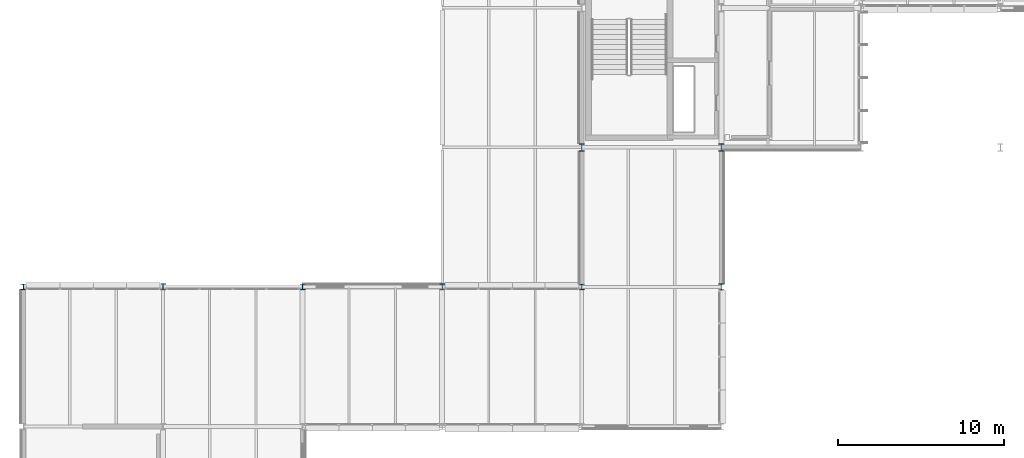
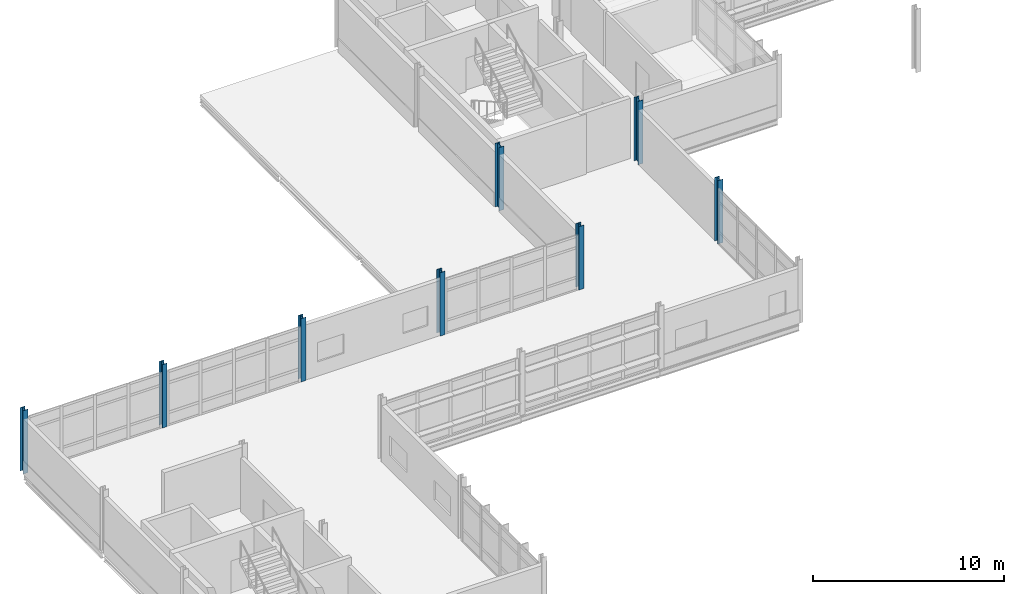
# One storey, part 6 of 131: 8 columns.
"""IFC4 building model written with IfcOpenShell, lengths in metres."""

from ifc_helpers import new_model, si_unit, direction, frame, origin, origin_2d, place, context, subcontext, project, spatial, i_section, extrude, material, material_profile, profile_set, type_object, element, save


model = new_model("IFC4")

# Units and contexts
model_context = context("Model", 3, precision=1e-05, world=origin(), true_north=direction((0.0, 1.0)))
body_context = subcontext(model_context, "Body", "Model", "MODEL_VIEW")
ifc_project = project(units=[si_unit("LENGTHUNIT", "METRE"), si_unit("AREAUNIT", "SQUARE_METRE"), si_unit("VOLUMEUNIT", "CUBIC_METRE"), si_unit("PLANEANGLEUNIT", "RADIAN"), si_unit("MASSUNIT", "GRAM", prefix="KILO")], contexts=[model_context])

# Site, building, storey
site_placement = place(None, origin())
site = spatial("IfcSite", under=ifc_project, at=site_placement, CompositionType="ELEMENT")
building_placement = place(site_placement, origin())
building = spatial("IfcBuilding", under=site, at=building_placement, Name="Mersafa Astral City Hall", CompositionType="ELEMENT")
storey_placement = place(building_placement, frame((0.0, 0.0, 13.949951171875)))
storey = spatial("IfcBuildingStorey", under=building, at=storey_placement, Name="L03", CompositionType="ELEMENT", Elevation=13.949951171875)

# Columns
ifc_material = material(Name="Steel S355", Category="steel")
ifc_material_profile_1 = material_profile(ifc_material, i_section(OverallWidth=0.300048828125, OverallDepth=0.340087890625, WebThickness=0.011962890625, FlangeThickness=0.021484375, FilletRadius=0.027099609375, at=origin_2d()), Name="HEB 340")
ifc_profile_set_1 = profile_set([ifc_material_profile_1], Name="Steel S355")
column_type_1 = type_object("IfcColumnType", Name="STR-COL-HEB340", PredefinedType="COLUMN", material=ifc_profile_set_1)
for number, where, z_axis, x_axis, name in (
    (1, (8.39990234375, 100.800048828125, 0.0), (0.0, 0.0, 1.0), (1.0, 0.0, 0.0), "L03 Structural column G-01-12"),
    (2, (25.199951171875, 100.800048828125, 0.0), (0.0, 0.0, 1.0), (1.0, 0.0, 0.0), "L03 Structural column G-03-12"),
    (3, (42.0, 100.800048828125, 0.0), (0.0, 0.0, 1.0), (1.0, 0.0, 0.0), "L03 Structural column G-05-12"),
):
    element("IfcColumn", number, at=place(storey_placement, frame(where, z_axis=z_axis, x_axis=x_axis)), inside=storey, type_object=column_type_1, Name=name, PredefinedType="COLUMN", context=body_context, shape_type="SweptSolid", body=[
        extrude(i_section(OverallWidth=0.300048828125, OverallDepth=0.340087890625, WebThickness=0.011962890625, FlangeThickness=0.021484375, FilletRadius=0.027099609375, at=origin_2d()), origin(), (0.0, 0.0, 1.0), 4.050048828125),
    ])
ifc_material_profile_2 = material_profile(ifc_material, i_section(OverallWidth=0.300048828125, OverallDepth=0.360107421875, WebThickness=0.012451171875, FlangeThickness=0.0224609375, FilletRadius=0.027099609375, at=origin_2d()), Name="HEB 360")
ifc_profile_set_2 = profile_set([ifc_material_profile_2], Name="Steel S355")
column_type_2 = type_object("IfcColumnType", Name="STR-COL-HEB360", PredefinedType="COLUMN", material=ifc_profile_set_2)
for number, where, z_axis, x_axis, name in (
    (4, (16.800048828125, 100.800048828125, 0.0), (0.0, 0.0, 1.0), (1.0, 0.0, 0.0), "L03 Structural column G-02-12"),
    (5, (33.60009765625, 100.800048828125, 0.0), (0.0, 0.0, 1.0), (1.0, 0.0, 0.0), "L03 Structural column G-04-12"),
    (6, (50.39990234375, 100.800048828125, 0.0), (0.0, 0.0, 1.0), (1.0, 0.0, 0.0), "L03 Structural column G-06-12"),
):
    element("IfcColumn", number, at=place(storey_placement, frame(where, z_axis=z_axis, x_axis=x_axis)), inside=storey, type_object=column_type_2, Name=name, PredefinedType="COLUMN", context=body_context, shape_type="SweptSolid", body=[
        extrude(i_section(OverallWidth=0.300048828125, OverallDepth=0.360107421875, WebThickness=0.012451171875, FlangeThickness=0.0224609375, FilletRadius=0.027099609375, at=origin_2d()), origin(), (0.0, 0.0, 1.0), 4.050048828125),
    ])
ifc_material_profile_3 = material_profile(ifc_material, i_section(OverallWidth=0.300048828125, OverallDepth=0.449951171875, WebThickness=0.013916015625, FlangeThickness=0.02587890625, FilletRadius=0.027099609375, at=origin_2d()), Name="HEB 450")
ifc_profile_set_3 = profile_set([ifc_material_profile_3], Name="Steel S355")
column_type_3 = type_object("IfcColumnType", Name="STR-COL-HEB450", PredefinedType="COLUMN", material=ifc_profile_set_3)
for number, where, z_axis, x_axis, name in (
    (7, (42.0, 109.199951171875, 0.0), (0.0, 0.0, 1.0), (1.0, 0.0, 0.0), "L03 Structural column G-05-13"),
    (8, (50.39990234375, 109.199951171875, 0.0), (0.0, 0.0, 1.0), (1.0, 0.0, 0.0), "L03 Structural column G-06-13"),
):
    element("IfcColumn", number, at=place(storey_placement, frame(where, z_axis=z_axis, x_axis=x_axis)), inside=storey, type_object=column_type_3, Name=name, PredefinedType="COLUMN", context=body_context, shape_type="SweptSolid", body=[
        extrude(i_section(OverallWidth=0.300048828125, OverallDepth=0.449951171875, WebThickness=0.013916015625, FlangeThickness=0.02587890625, FilletRadius=0.027099609375, at=origin_2d()), origin(), (0.0, 0.0, 1.0), 4.050048828125),
    ])

save(model, "model.ifc")
